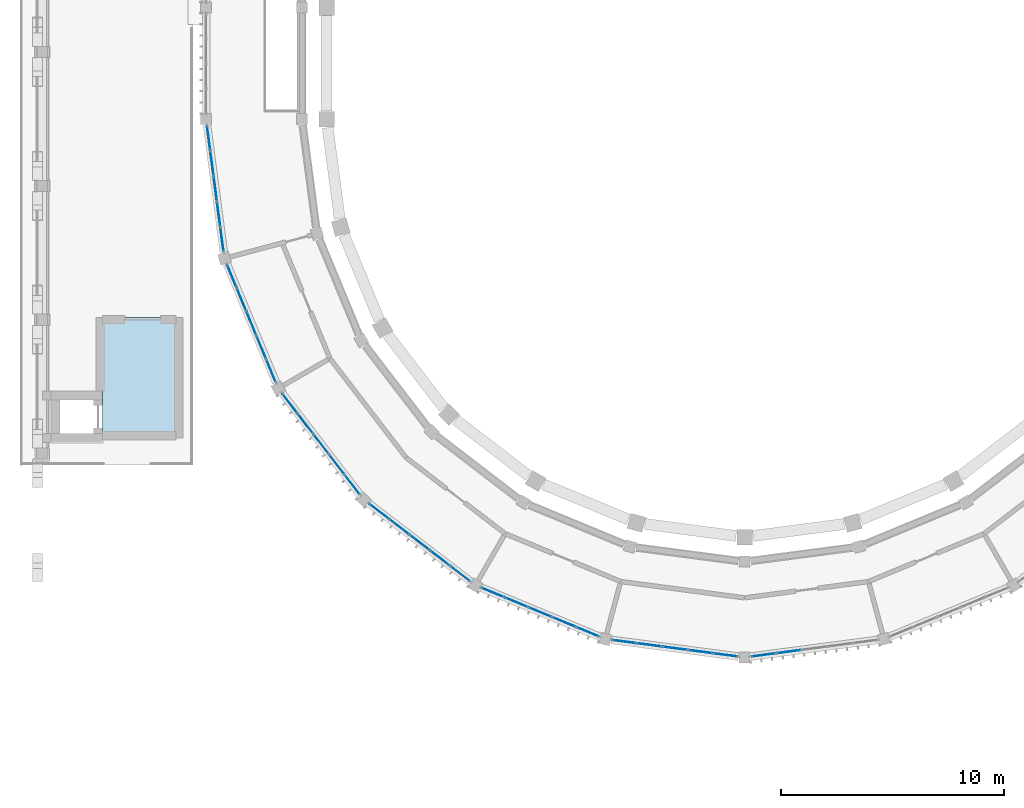
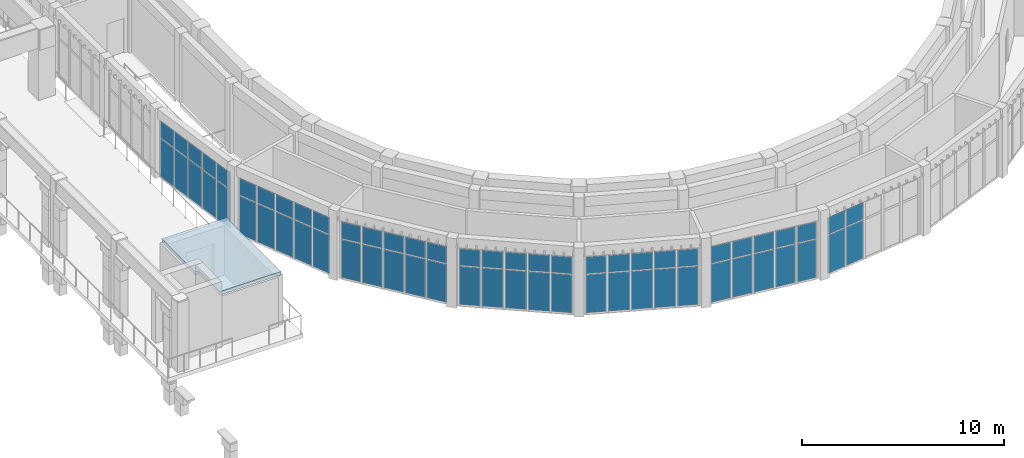
# One storey, part 39 of 99: 64 plates, 1 slab, 7 elements without a shape of their own.
"""IFC4 building model written with IfcOpenShell, lengths in metres."""

from ifc_helpers import new_model, si_unit, direction, frame, origin, origin_2d, place, context, subcontext, project, spatial, polyline, rectangle, outline, extrude, material, layer, layer_set, type_object, element, aggregate, save


model = new_model("IFC4")

# Units and contexts
model_context = context("Model", 3, precision=1e-05, world=origin(), true_north=direction((0.0, 1.0)))
body_context = subcontext(model_context, "Body", "Model", "MODEL_VIEW")
ifc_project = project(units=[si_unit("LENGTHUNIT", "METRE"), si_unit("AREAUNIT", "SQUARE_METRE"), si_unit("VOLUMEUNIT", "CUBIC_METRE"), si_unit("PLANEANGLEUNIT", "RADIAN"), si_unit("MASSUNIT", "GRAM", prefix="KILO")], contexts=[model_context])

# Site, building, storey
site_placement = place(None, origin())
site = spatial("IfcSite", under=ifc_project, at=site_placement, CompositionType="ELEMENT")
building_placement = place(site_placement, origin())
building = spatial("IfcBuilding", under=site, at=building_placement, Name="Wasatch Bagh Community Centre", CompositionType="ELEMENT")
storey_placement = place(building_placement, frame((0.0, 0.0, 4.199951171875)))
storey = spatial("IfcBuildingStorey", under=building, at=storey_placement, Name="L01", CompositionType="ELEMENT", Elevation=4.199951171875)

# Slab
ifc_material_1 = material(Name="Concrete C35", Category="concrete")
ifc_layer_1 = layer(ifc_material_1, 0.2099609375)
ifc_layer_set_1 = layer_set([ifc_layer_1], Name="Concrete C35")
slab_type = type_object("IfcSlabType", Name="CT-S3", PredefinedType="ROOF", material=ifc_layer_set_1)
slab_placement = place(storey_placement, frame((0.0, 0.0, 3.0)))
element("IfcSlab", 1, at=slab_placement, inside=storey, type_object=slab_type, Name="Terrace lobby S roof", PredefinedType="ROOF", context=body_context, shape_type="SweptSolid", body=[
    extrude(outline(polyline([(7.0, 26.10009765625), (10.699951171875, 26.10009765625), (10.699951171875, 20.699951171875), (7.199951171875, 20.699951171875), (7.199951171875, 22.81005859375), (7.0, 22.81005859375), (7.0, 26.10009765625)])), origin(), (0.0, 0.0, 1.0), 0.2099609375),
])

# Curtain wall, plates
ifc_material_2 = material(Name="Aluminium curtain wall frame with low-iron insulated glass", Category="aluminium")
ifc_layer_2 = layer(ifc_material_2, 0.14990234375)
ifc_layer_set_2 = layer_set([ifc_layer_2], Name="Aluminium curtain wall frame with low-iron insulated glass")
curtain_wall_type = type_object("IfcCurtainWallType", Name="Drum curtain wall DR-CW2", PredefinedType="NOTDEFINED", material=ifc_layer_set_2)
curtain_wall_1_placement = place(storey_placement, origin())
curtain_wall_1 = element("IfcCurtainWall", 2, at=curtain_wall_1_placement, inside=storey, type_object=curtain_wall_type, Name="Curtain wall DR-CW2 1", PredefinedType="NOTDEFINED")
ifc_material_3 = material(Name="Low-iron insulated glass", Category="glass")
ifc_layer_3 = layer(ifc_material_3, 0.028076171875)
ifc_layer_set_3 = layer_set([ifc_layer_3], Name="Low-iron insulated glass")
plate_type = type_object("IfcPlateType", Name="Drum glass panel DR-CW2", PredefinedType="CURTAIN_PANEL", material=ifc_layer_set_3)
plate_1_placement = place(storey_placement, frame((11.961669921875, 34.15185546875, 0.06005859375), z_axis=(0.0, 0.0, 1.0), x_axis=(0.130526192185, -0.991444861378, 0.0)))
plate_1 = element("IfcPlate", 3, at=plate_1_placement, type_object=plate_type, Name="DR-CW2 panel 1.1", PredefinedType="CURTAIN_PANEL", context=body_context, shape_type="SweptSolid", body=[
    extrude(rectangle(XDim=1.06591796875, YDim=0.028076171875, at=origin_2d()), origin(), (0.0, 0.0, 1.0), 2.31005859375),
])
plate_2_placement = place(storey_placement, frame((11.961669921875, 34.15185546875, 2.43017578125), z_axis=(0.0, 0.0, 1.0), x_axis=(0.130526192185, -0.991444861378, 0.0)))
plate_2 = element("IfcPlate", 4, at=plate_2_placement, type_object=plate_type, Name="DR-CW2 panel 1.2", PredefinedType="CURTAIN_PANEL", context=body_context, shape_type="SweptSolid", body=[
    extrude(rectangle(XDim=1.06591796875, YDim=0.028076171875, at=origin_2d()), origin(), (0.0, 0.0, 1.0), 1.010009765625),
])
plate_3_placement = place(storey_placement, frame((12.110595703125, 33.020751953125, 0.06005859375), z_axis=(0.0, 0.0, 1.0), x_axis=(0.130526192185, -0.991444861378, 0.0)))
plate_3 = element("IfcPlate", 5, at=plate_3_placement, type_object=plate_type, Name="DR-CW2 panel 2.1", PredefinedType="CURTAIN_PANEL", context=body_context, shape_type="SweptSolid", body=[
    extrude(rectangle(XDim=1.095947265625, YDim=0.028076171875, at=origin_2d()), origin(), (0.0, 0.0, 1.0), 2.31005859375),
])
plate_4_placement = place(storey_placement, frame((12.110595703125, 33.020751953125, 2.43017578125), z_axis=(0.0, 0.0, 1.0), x_axis=(0.130526192185, -0.991444861378, 0.0)))
plate_4 = element("IfcPlate", 6, at=plate_4_placement, type_object=plate_type, Name="DR-CW2 panel 2.2", PredefinedType="CURTAIN_PANEL", context=body_context, shape_type="SweptSolid", body=[
    extrude(rectangle(XDim=1.095947265625, YDim=0.028076171875, at=origin_2d()), origin(), (0.0, 0.0, 1.0), 1.010009765625),
])
plate_5_placement = place(storey_placement, frame((12.261474609375, 31.874755859375, 0.06005859375), z_axis=(0.0, 0.0, 1.0), x_axis=(0.130526192185, -0.991444861378, 0.0)))
plate_5 = element("IfcPlate", 7, at=plate_5_placement, type_object=plate_type, Name="DR-CW2 panel 3.1", PredefinedType="CURTAIN_PANEL", context=body_context, shape_type="SweptSolid", body=[
    extrude(rectangle(XDim=1.095947265625, YDim=0.028076171875, at=origin_2d()), origin(), (0.0, 0.0, 1.0), 2.31005859375),
])
plate_6_placement = place(storey_placement, frame((12.261474609375, 31.874755859375, 2.43017578125), z_axis=(0.0, 0.0, 1.0), x_axis=(0.130526192185, -0.991444861378, 0.0)))
plate_6 = element("IfcPlate", 8, at=plate_6_placement, type_object=plate_type, Name="DR-CW2 panel 3.2", PredefinedType="CURTAIN_PANEL", context=body_context, shape_type="SweptSolid", body=[
    extrude(rectangle(XDim=1.095947265625, YDim=0.028076171875, at=origin_2d()), origin(), (0.0, 0.0, 1.0), 1.010009765625),
])
plate_7_placement = place(storey_placement, frame((12.412353515625, 30.728759765625, 0.06005859375), z_axis=(0.0, 0.0, 1.0), x_axis=(0.130526192185, -0.991444861378, 0.0)))
plate_7 = element("IfcPlate", 9, at=plate_7_placement, type_object=plate_type, Name="DR-CW2 panel 4.1", PredefinedType="CURTAIN_PANEL", context=body_context, shape_type="SweptSolid", body=[
    extrude(rectangle(XDim=1.095947265625, YDim=0.028076171875, at=origin_2d()), origin(), (0.0, 0.0, 1.0), 2.31005859375),
])
plate_8_placement = place(storey_placement, frame((12.412353515625, 30.728759765625, 2.43017578125), z_axis=(0.0, 0.0, 1.0), x_axis=(0.130526192185, -0.991444861378, 0.0)))
plate_8 = element("IfcPlate", 10, at=plate_8_placement, type_object=plate_type, Name="DR-CW2 panel 4.2", PredefinedType="CURTAIN_PANEL", context=body_context, shape_type="SweptSolid", body=[
    extrude(rectangle(XDim=1.095947265625, YDim=0.028076171875, at=origin_2d()), origin(), (0.0, 0.0, 1.0), 1.010009765625),
])
plate_9_placement = place(storey_placement, frame((12.561279296875, 29.59765625, 0.06005859375), z_axis=(0.0, 0.0, 1.0), x_axis=(0.130526192185, -0.991444861378, 0.0)))
plate_9 = element("IfcPlate", 11, at=plate_9_placement, type_object=plate_type, Name="DR-CW2 panel 5.1", PredefinedType="CURTAIN_PANEL", context=body_context, shape_type="SweptSolid", body=[
    extrude(rectangle(XDim=1.06591796875, YDim=0.028076171875, at=origin_2d()), origin(), (0.0, 0.0, 1.0), 2.31005859375),
])
plate_10_placement = place(storey_placement, frame((12.561279296875, 29.59765625, 2.43017578125), z_axis=(0.0, 0.0, 1.0), x_axis=(0.130526192185, -0.991444861378, 0.0)))
plate_10 = element("IfcPlate", 12, at=plate_10_placement, type_object=plate_type, Name="DR-CW2 panel 5.2", PredefinedType="CURTAIN_PANEL", context=body_context, shape_type="SweptSolid", body=[
    extrude(rectangle(XDim=1.06591796875, YDim=0.028076171875, at=origin_2d()), origin(), (0.0, 0.0, 1.0), 1.010009765625),
])
aggregate(curtain_wall_1, [plate_1, plate_2, plate_3, plate_4, plate_5, plate_6, plate_7, plate_8, plate_9, plate_10])

curtain_wall_2_placement = place(storey_placement, origin())
curtain_wall_2 = element("IfcCurtainWall", 13, at=curtain_wall_2_placement, inside=storey, type_object=curtain_wall_type, Name="Curtain wall DR-CW2 2", PredefinedType="NOTDEFINED")
plate_11_placement = place(storey_placement, frame((13.000244140625, 27.959228515625, 0.06005859375), z_axis=(0.0, 0.0, 1.0), x_axis=(0.38268343251, -0.923879532451, 0.0)))
plate_11 = element("IfcPlate", 14, at=plate_11_placement, type_object=plate_type, Name="DR-CW2 panel 1.1", PredefinedType="CURTAIN_PANEL", context=body_context, shape_type="SweptSolid", body=[
    extrude(rectangle(XDim=1.06591796875, YDim=0.028076171875, at=origin_2d()), origin(), (0.0, 0.0, 1.0), 2.31005859375),
])
plate_12_placement = place(storey_placement, frame((13.000244140625, 27.959228515625, 2.43017578125), z_axis=(0.0, 0.0, 1.0), x_axis=(0.38268343251, -0.923879532451, 0.0)))
plate_12 = element("IfcPlate", 15, at=plate_12_placement, type_object=plate_type, Name="DR-CW2 panel 1.2", PredefinedType="CURTAIN_PANEL", context=body_context, shape_type="SweptSolid", body=[
    extrude(rectangle(XDim=1.06591796875, YDim=0.028076171875, at=origin_2d()), origin(), (0.0, 0.0, 1.0), 1.010009765625),
])
plate_13_placement = place(storey_placement, frame((13.436767578125, 26.905029296875, 0.06005859375), z_axis=(0.0, 0.0, 1.0), x_axis=(0.38268343251, -0.923879532451, 0.0)))
plate_13 = element("IfcPlate", 16, at=plate_13_placement, type_object=plate_type, Name="DR-CW2 panel 2.1", PredefinedType="CURTAIN_PANEL", context=body_context, shape_type="SweptSolid", body=[
    extrude(rectangle(XDim=1.095947265625, YDim=0.028076171875, at=origin_2d()), origin(), (0.0, 0.0, 1.0), 2.31005859375),
])
plate_14_placement = place(storey_placement, frame((13.436767578125, 26.905029296875, 2.43017578125), z_axis=(0.0, 0.0, 1.0), x_axis=(0.38268343251, -0.923879532451, 0.0)))
plate_14 = element("IfcPlate", 17, at=plate_14_placement, type_object=plate_type, Name="DR-CW2 panel 2.2", PredefinedType="CURTAIN_PANEL", context=body_context, shape_type="SweptSolid", body=[
    extrude(rectangle(XDim=1.095947265625, YDim=0.028076171875, at=origin_2d()), origin(), (0.0, 0.0, 1.0), 1.010009765625),
])
plate_15_placement = place(storey_placement, frame((13.879150390625, 25.837158203125, 0.06005859375), z_axis=(0.0, 0.0, 1.0), x_axis=(0.38268343251, -0.923879532451, 0.0)))
plate_15 = element("IfcPlate", 18, at=plate_15_placement, type_object=plate_type, Name="DR-CW2 panel 3.1", PredefinedType="CURTAIN_PANEL", context=body_context, shape_type="SweptSolid", body=[
    extrude(rectangle(XDim=1.095947265625, YDim=0.028076171875, at=origin_2d()), origin(), (0.0, 0.0, 1.0), 2.31005859375),
])
plate_16_placement = place(storey_placement, frame((13.879150390625, 25.837158203125, 2.43017578125), z_axis=(0.0, 0.0, 1.0), x_axis=(0.38268343251, -0.923879532451, 0.0)))
plate_16 = element("IfcPlate", 19, at=plate_16_placement, type_object=plate_type, Name="DR-CW2 panel 3.2", PredefinedType="CURTAIN_PANEL", context=body_context, shape_type="SweptSolid", body=[
    extrude(rectangle(XDim=1.095947265625, YDim=0.028076171875, at=origin_2d()), origin(), (0.0, 0.0, 1.0), 1.010009765625),
])
plate_17_placement = place(storey_placement, frame((14.321533203125, 24.769287109375, 0.06005859375), z_axis=(0.0, 0.0, 1.0), x_axis=(0.38268343251, -0.923879532451, 0.0)))
plate_17 = element("IfcPlate", 20, at=plate_17_placement, type_object=plate_type, Name="DR-CW2 panel 4.1", PredefinedType="CURTAIN_PANEL", context=body_context, shape_type="SweptSolid", body=[
    extrude(rectangle(XDim=1.095947265625, YDim=0.028076171875, at=origin_2d()), origin(), (0.0, 0.0, 1.0), 2.31005859375),
])
plate_18_placement = place(storey_placement, frame((14.321533203125, 24.769287109375, 2.43017578125), z_axis=(0.0, 0.0, 1.0), x_axis=(0.38268343251, -0.923879532451, 0.0)))
plate_18 = element("IfcPlate", 21, at=plate_18_placement, type_object=plate_type, Name="DR-CW2 panel 4.2", PredefinedType="CURTAIN_PANEL", context=body_context, shape_type="SweptSolid", body=[
    extrude(rectangle(XDim=1.095947265625, YDim=0.028076171875, at=origin_2d()), origin(), (0.0, 0.0, 1.0), 1.010009765625),
])
plate_19_placement = place(storey_placement, frame((14.758056640625, 23.71533203125, 0.06005859375), z_axis=(0.0, 0.0, 1.0), x_axis=(0.38268343251, -0.923879532451, 0.0)))
plate_19 = element("IfcPlate", 22, at=plate_19_placement, type_object=plate_type, Name="DR-CW2 panel 5.1", PredefinedType="CURTAIN_PANEL", context=body_context, shape_type="SweptSolid", body=[
    extrude(rectangle(XDim=1.06591796875, YDim=0.028076171875, at=origin_2d()), origin(), (0.0, 0.0, 1.0), 2.31005859375),
])
plate_20_placement = place(storey_placement, frame((14.758056640625, 23.71533203125, 2.43017578125), z_axis=(0.0, 0.0, 1.0), x_axis=(0.38268343251, -0.923879532451, 0.0)))
plate_20 = element("IfcPlate", 23, at=plate_20_placement, type_object=plate_type, Name="DR-CW2 panel 5.2", PredefinedType="CURTAIN_PANEL", context=body_context, shape_type="SweptSolid", body=[
    extrude(rectangle(XDim=1.06591796875, YDim=0.028076171875, at=origin_2d()), origin(), (0.0, 0.0, 1.0), 1.010009765625),
])
aggregate(curtain_wall_2, [plate_11, plate_12, plate_13, plate_14, plate_15, plate_16, plate_17, plate_18, plate_19, plate_20])

curtain_wall_3_placement = place(storey_placement, origin())
curtain_wall_3 = element("IfcCurtainWall", 24, at=curtain_wall_3_placement, inside=storey, type_object=curtain_wall_type, Name="Curtain wall DR-CW2 3", PredefinedType="NOTDEFINED")
plate_21_placement = place(storey_placement, frame((15.606201171875, 22.246337890625, 0.06005859375), z_axis=(0.0, 0.0, 1.0), x_axis=(0.608761429133, -0.793353340196, 0.0)))
plate_21 = element("IfcPlate", 25, at=plate_21_placement, type_object=plate_type, Name="DR-CW2 panel 1.1", PredefinedType="CURTAIN_PANEL", context=body_context, shape_type="SweptSolid", body=[
    extrude(rectangle(XDim=1.06591796875, YDim=0.028076171875, at=origin_2d()), origin(), (0.0, 0.0, 1.0), 2.31005859375),
])
plate_22_placement = place(storey_placement, frame((15.606201171875, 22.246337890625, 2.43017578125), z_axis=(0.0, 0.0, 1.0), x_axis=(0.608761429133, -0.793353340196, 0.0)))
plate_22 = element("IfcPlate", 26, at=plate_22_placement, type_object=plate_type, Name="DR-CW2 panel 1.2", PredefinedType="CURTAIN_PANEL", context=body_context, shape_type="SweptSolid", body=[
    extrude(rectangle(XDim=1.06591796875, YDim=0.028076171875, at=origin_2d()), origin(), (0.0, 0.0, 1.0), 1.010009765625),
])
plate_23_placement = place(storey_placement, frame((16.30078125, 21.34130859375, 0.06005859375), z_axis=(0.0, 0.0, 1.0), x_axis=(0.608761429133, -0.793353340196, 0.0)))
plate_23 = element("IfcPlate", 27, at=plate_23_placement, type_object=plate_type, Name="DR-CW2 panel 2.1", PredefinedType="CURTAIN_PANEL", context=body_context, shape_type="SweptSolid", body=[
    extrude(rectangle(XDim=1.095947265625, YDim=0.028076171875, at=origin_2d()), origin(), (0.0, 0.0, 1.0), 2.31005859375),
])
plate_24_placement = place(storey_placement, frame((16.30078125, 21.34130859375, 2.43017578125), z_axis=(0.0, 0.0, 1.0), x_axis=(0.608761429133, -0.793353340196, 0.0)))
plate_24 = element("IfcPlate", 28, at=plate_24_placement, type_object=plate_type, Name="DR-CW2 panel 2.2", PredefinedType="CURTAIN_PANEL", context=body_context, shape_type="SweptSolid", body=[
    extrude(rectangle(XDim=1.095947265625, YDim=0.028076171875, at=origin_2d()), origin(), (0.0, 0.0, 1.0), 1.010009765625),
])
plate_25_placement = place(storey_placement, frame((17.00439453125, 20.424072265625, 0.06005859375), z_axis=(0.0, 0.0, 1.0), x_axis=(0.608761429133, -0.793353340196, 0.0)))
plate_25 = element("IfcPlate", 29, at=plate_25_placement, type_object=plate_type, Name="DR-CW2 panel 3.1", PredefinedType="CURTAIN_PANEL", context=body_context, shape_type="SweptSolid", body=[
    extrude(rectangle(XDim=1.095947265625, YDim=0.028076171875, at=origin_2d()), origin(), (0.0, 0.0, 1.0), 2.31005859375),
])
plate_26_placement = place(storey_placement, frame((17.00439453125, 20.424072265625, 2.43017578125), z_axis=(0.0, 0.0, 1.0), x_axis=(0.608761429133, -0.793353340196, 0.0)))
plate_26 = element("IfcPlate", 30, at=plate_26_placement, type_object=plate_type, Name="DR-CW2 panel 3.2", PredefinedType="CURTAIN_PANEL", context=body_context, shape_type="SweptSolid", body=[
    extrude(rectangle(XDim=1.095947265625, YDim=0.028076171875, at=origin_2d()), origin(), (0.0, 0.0, 1.0), 1.010009765625),
])
plate_27_placement = place(storey_placement, frame((17.7080078125, 19.507080078125, 0.06005859375), z_axis=(0.0, 0.0, 1.0), x_axis=(0.608761429133, -0.793353340196, 0.0)))
plate_27 = element("IfcPlate", 31, at=plate_27_placement, type_object=plate_type, Name="DR-CW2 panel 4.1", PredefinedType="CURTAIN_PANEL", context=body_context, shape_type="SweptSolid", body=[
    extrude(rectangle(XDim=1.095947265625, YDim=0.028076171875, at=origin_2d()), origin(), (0.0, 0.0, 1.0), 2.31005859375),
])
plate_28_placement = place(storey_placement, frame((17.7080078125, 19.507080078125, 2.43017578125), z_axis=(0.0, 0.0, 1.0), x_axis=(0.608761429133, -0.793353340196, 0.0)))
plate_28 = element("IfcPlate", 32, at=plate_28_placement, type_object=plate_type, Name="DR-CW2 panel 4.2", PredefinedType="CURTAIN_PANEL", context=body_context, shape_type="SweptSolid", body=[
    extrude(rectangle(XDim=1.095947265625, YDim=0.028076171875, at=origin_2d()), origin(), (0.0, 0.0, 1.0), 1.010009765625),
])
plate_29_placement = place(storey_placement, frame((18.402587890625, 18.60205078125, 0.06005859375), z_axis=(0.0, 0.0, 1.0), x_axis=(0.608761429133, -0.793353340196, 0.0)))
plate_29 = element("IfcPlate", 33, at=plate_29_placement, type_object=plate_type, Name="DR-CW2 panel 5.1", PredefinedType="CURTAIN_PANEL", context=body_context, shape_type="SweptSolid", body=[
    extrude(rectangle(XDim=1.06591796875, YDim=0.028076171875, at=origin_2d()), origin(), (0.0, 0.0, 1.0), 2.31005859375),
])
plate_30_placement = place(storey_placement, frame((18.402587890625, 18.60205078125, 2.43017578125), z_axis=(0.0, 0.0, 1.0), x_axis=(0.608761429133, -0.793353340196, 0.0)))
plate_30 = element("IfcPlate", 34, at=plate_30_placement, type_object=plate_type, Name="DR-CW2 panel 5.2", PredefinedType="CURTAIN_PANEL", context=body_context, shape_type="SweptSolid", body=[
    extrude(rectangle(XDim=1.06591796875, YDim=0.028076171875, at=origin_2d()), origin(), (0.0, 0.0, 1.0), 1.010009765625),
])
aggregate(curtain_wall_3, [plate_21, plate_22, plate_23, plate_24, plate_25, plate_26, plate_27, plate_28, plate_29, plate_30])

curtain_wall_4_placement = place(storey_placement, origin())
curtain_wall_4 = element("IfcCurtainWall", 35, at=curtain_wall_4_placement, inside=storey, type_object=curtain_wall_type, Name="Curtain wall DR-CW2 4", PredefinedType="NOTDEFINED")
plate_31_placement = place(storey_placement, frame((19.60205078125, 17.402587890625, 0.06005859375), z_axis=(0.0, 0.0, 1.0), x_axis=(0.793353340196, -0.608761429133, 0.0)))
plate_31 = element("IfcPlate", 36, at=plate_31_placement, type_object=plate_type, Name="DR-CW2 panel 1.1", PredefinedType="CURTAIN_PANEL", context=body_context, shape_type="SweptSolid", body=[
    extrude(rectangle(XDim=1.06591796875, YDim=0.028076171875, at=origin_2d()), origin(), (0.0, 0.0, 1.0), 2.31005859375),
])
plate_32_placement = place(storey_placement, frame((19.60205078125, 17.402587890625, 2.43017578125), z_axis=(0.0, 0.0, 1.0), x_axis=(0.793353340196, -0.608761429133, 0.0)))
plate_32 = element("IfcPlate", 37, at=plate_32_placement, type_object=plate_type, Name="DR-CW2 panel 1.2", PredefinedType="CURTAIN_PANEL", context=body_context, shape_type="SweptSolid", body=[
    extrude(rectangle(XDim=1.06591796875, YDim=0.028076171875, at=origin_2d()), origin(), (0.0, 0.0, 1.0), 1.010009765625),
])
plate_33_placement = place(storey_placement, frame((20.507080078125, 16.7080078125, 0.06005859375), z_axis=(0.0, 0.0, 1.0), x_axis=(0.793353340196, -0.608761429133, 0.0)))
plate_33 = element("IfcPlate", 38, at=plate_33_placement, type_object=plate_type, Name="DR-CW2 panel 2.1", PredefinedType="CURTAIN_PANEL", context=body_context, shape_type="SweptSolid", body=[
    extrude(rectangle(XDim=1.095947265625, YDim=0.028076171875, at=origin_2d()), origin(), (0.0, 0.0, 1.0), 2.31005859375),
])
plate_34_placement = place(storey_placement, frame((20.507080078125, 16.7080078125, 2.43017578125), z_axis=(0.0, 0.0, 1.0), x_axis=(0.793353340196, -0.608761429133, 0.0)))
plate_34 = element("IfcPlate", 39, at=plate_34_placement, type_object=plate_type, Name="DR-CW2 panel 2.2", PredefinedType="CURTAIN_PANEL", context=body_context, shape_type="SweptSolid", body=[
    extrude(rectangle(XDim=1.095947265625, YDim=0.028076171875, at=origin_2d()), origin(), (0.0, 0.0, 1.0), 1.010009765625),
])
plate_35_placement = place(storey_placement, frame((21.424072265625, 16.00439453125, 0.06005859375), z_axis=(0.0, 0.0, 1.0), x_axis=(0.793353340196, -0.608761429133, 0.0)))
plate_35 = element("IfcPlate", 40, at=plate_35_placement, type_object=plate_type, Name="DR-CW2 panel 3.1", PredefinedType="CURTAIN_PANEL", context=body_context, shape_type="SweptSolid", body=[
    extrude(rectangle(XDim=1.095947265625, YDim=0.028076171875, at=origin_2d()), origin(), (0.0, 0.0, 1.0), 2.31005859375),
])
plate_36_placement = place(storey_placement, frame((21.424072265625, 16.00439453125, 2.43017578125), z_axis=(0.0, 0.0, 1.0), x_axis=(0.793353340196, -0.608761429133, 0.0)))
plate_36 = element("IfcPlate", 41, at=plate_36_placement, type_object=plate_type, Name="DR-CW2 panel 3.2", PredefinedType="CURTAIN_PANEL", context=body_context, shape_type="SweptSolid", body=[
    extrude(rectangle(XDim=1.095947265625, YDim=0.028076171875, at=origin_2d()), origin(), (0.0, 0.0, 1.0), 1.010009765625),
])
plate_37_placement = place(storey_placement, frame((22.34130859375, 15.30078125, 0.06005859375), z_axis=(0.0, 0.0, 1.0), x_axis=(0.793353340196, -0.608761429133, 0.0)))
plate_37 = element("IfcPlate", 42, at=plate_37_placement, type_object=plate_type, Name="DR-CW2 panel 4.1", PredefinedType="CURTAIN_PANEL", context=body_context, shape_type="SweptSolid", body=[
    extrude(rectangle(XDim=1.095947265625, YDim=0.028076171875, at=origin_2d()), origin(), (0.0, 0.0, 1.0), 2.31005859375),
])
plate_38_placement = place(storey_placement, frame((22.34130859375, 15.30078125, 2.43017578125), z_axis=(0.0, 0.0, 1.0), x_axis=(0.793353340196, -0.608761429133, 0.0)))
plate_38 = element("IfcPlate", 43, at=plate_38_placement, type_object=plate_type, Name="DR-CW2 panel 4.2", PredefinedType="CURTAIN_PANEL", context=body_context, shape_type="SweptSolid", body=[
    extrude(rectangle(XDim=1.095947265625, YDim=0.028076171875, at=origin_2d()), origin(), (0.0, 0.0, 1.0), 1.010009765625),
])
plate_39_placement = place(storey_placement, frame((23.246337890625, 14.606201171875, 0.06005859375), z_axis=(0.0, 0.0, 1.0), x_axis=(0.793353340196, -0.608761429133, 0.0)))
plate_39 = element("IfcPlate", 44, at=plate_39_placement, type_object=plate_type, Name="DR-CW2 panel 5.1", PredefinedType="CURTAIN_PANEL", context=body_context, shape_type="SweptSolid", body=[
    extrude(rectangle(XDim=1.06591796875, YDim=0.028076171875, at=origin_2d()), origin(), (0.0, 0.0, 1.0), 2.31005859375),
])
plate_40_placement = place(storey_placement, frame((23.246337890625, 14.606201171875, 2.43017578125), z_axis=(0.0, 0.0, 1.0), x_axis=(0.793353340196, -0.608761429133, 0.0)))
plate_40 = element("IfcPlate", 45, at=plate_40_placement, type_object=plate_type, Name="DR-CW2 panel 5.2", PredefinedType="CURTAIN_PANEL", context=body_context, shape_type="SweptSolid", body=[
    extrude(rectangle(XDim=1.06591796875, YDim=0.028076171875, at=origin_2d()), origin(), (0.0, 0.0, 1.0), 1.010009765625),
])
aggregate(curtain_wall_4, [plate_31, plate_32, plate_33, plate_34, plate_35, plate_36, plate_37, plate_38, plate_39, plate_40])

curtain_wall_5_placement = place(storey_placement, origin())
curtain_wall_5 = element("IfcCurtainWall", 46, at=curtain_wall_5_placement, inside=storey, type_object=curtain_wall_type, Name="Curtain wall DR-CW2 5", PredefinedType="NOTDEFINED")
plate_41_placement = place(storey_placement, frame((24.71533203125, 13.758056640625, 0.06005859375), z_axis=(0.0, 0.0, 1.0), x_axis=(0.923879532451, -0.38268343251, 0.0)))
plate_41 = element("IfcPlate", 47, at=plate_41_placement, type_object=plate_type, Name="DR-CW2 panel 1.1", PredefinedType="CURTAIN_PANEL", context=body_context, shape_type="SweptSolid", body=[
    extrude(rectangle(XDim=1.06591796875, YDim=0.028076171875, at=origin_2d()), origin(), (0.0, 0.0, 1.0), 2.31005859375),
])
plate_42_placement = place(storey_placement, frame((24.71533203125, 13.758056640625, 2.43017578125), z_axis=(0.0, 0.0, 1.0), x_axis=(0.923879532451, -0.38268343251, 0.0)))
plate_42 = element("IfcPlate", 48, at=plate_42_placement, type_object=plate_type, Name="DR-CW2 panel 1.2", PredefinedType="CURTAIN_PANEL", context=body_context, shape_type="SweptSolid", body=[
    extrude(rectangle(XDim=1.06591796875, YDim=0.028076171875, at=origin_2d()), origin(), (0.0, 0.0, 1.0), 1.010009765625),
])
plate_43_placement = place(storey_placement, frame((25.769287109375, 13.321533203125, 0.06005859375), z_axis=(0.0, 0.0, 1.0), x_axis=(0.923879532451, -0.38268343251, 0.0)))
plate_43 = element("IfcPlate", 49, at=plate_43_placement, type_object=plate_type, Name="DR-CW2 panel 2.1", PredefinedType="CURTAIN_PANEL", context=body_context, shape_type="SweptSolid", body=[
    extrude(rectangle(XDim=1.095947265625, YDim=0.028076171875, at=origin_2d()), origin(), (0.0, 0.0, 1.0), 2.31005859375),
])
plate_44_placement = place(storey_placement, frame((25.769287109375, 13.321533203125, 2.43017578125), z_axis=(0.0, 0.0, 1.0), x_axis=(0.923879532451, -0.38268343251, 0.0)))
plate_44 = element("IfcPlate", 50, at=plate_44_placement, type_object=plate_type, Name="DR-CW2 panel 2.2", PredefinedType="CURTAIN_PANEL", context=body_context, shape_type="SweptSolid", body=[
    extrude(rectangle(XDim=1.095947265625, YDim=0.028076171875, at=origin_2d()), origin(), (0.0, 0.0, 1.0), 1.010009765625),
])
plate_45_placement = place(storey_placement, frame((26.837158203125, 12.879150390625, 0.06005859375), z_axis=(0.0, 0.0, 1.0), x_axis=(0.923879532451, -0.38268343251, 0.0)))
plate_45 = element("IfcPlate", 51, at=plate_45_placement, type_object=plate_type, Name="DR-CW2 panel 3.1", PredefinedType="CURTAIN_PANEL", context=body_context, shape_type="SweptSolid", body=[
    extrude(rectangle(XDim=1.095947265625, YDim=0.028076171875, at=origin_2d()), origin(), (0.0, 0.0, 1.0), 2.31005859375),
])
plate_46_placement = place(storey_placement, frame((26.837158203125, 12.879150390625, 2.43017578125), z_axis=(0.0, 0.0, 1.0), x_axis=(0.923879532451, -0.38268343251, 0.0)))
plate_46 = element("IfcPlate", 52, at=plate_46_placement, type_object=plate_type, Name="DR-CW2 panel 3.2", PredefinedType="CURTAIN_PANEL", context=body_context, shape_type="SweptSolid", body=[
    extrude(rectangle(XDim=1.095947265625, YDim=0.028076171875, at=origin_2d()), origin(), (0.0, 0.0, 1.0), 1.010009765625),
])
plate_47_placement = place(storey_placement, frame((27.905029296875, 12.436767578125, 0.06005859375), z_axis=(0.0, 0.0, 1.0), x_axis=(0.923879532451, -0.38268343251, 0.0)))
plate_47 = element("IfcPlate", 53, at=plate_47_placement, type_object=plate_type, Name="DR-CW2 panel 4.1", PredefinedType="CURTAIN_PANEL", context=body_context, shape_type="SweptSolid", body=[
    extrude(rectangle(XDim=1.095947265625, YDim=0.028076171875, at=origin_2d()), origin(), (0.0, 0.0, 1.0), 2.31005859375),
])
plate_48_placement = place(storey_placement, frame((27.905029296875, 12.436767578125, 2.43017578125), z_axis=(0.0, 0.0, 1.0), x_axis=(0.923879532451, -0.38268343251, 0.0)))
plate_48 = element("IfcPlate", 54, at=plate_48_placement, type_object=plate_type, Name="DR-CW2 panel 4.2", PredefinedType="CURTAIN_PANEL", context=body_context, shape_type="SweptSolid", body=[
    extrude(rectangle(XDim=1.095947265625, YDim=0.028076171875, at=origin_2d()), origin(), (0.0, 0.0, 1.0), 1.010009765625),
])
plate_49_placement = place(storey_placement, frame((28.959228515625, 12.000244140625, 0.06005859375), z_axis=(0.0, 0.0, 1.0), x_axis=(0.923879532451, -0.38268343251, 0.0)))
plate_49 = element("IfcPlate", 55, at=plate_49_placement, type_object=plate_type, Name="DR-CW2 panel 5.1", PredefinedType="CURTAIN_PANEL", context=body_context, shape_type="SweptSolid", body=[
    extrude(rectangle(XDim=1.06591796875, YDim=0.028076171875, at=origin_2d()), origin(), (0.0, 0.0, 1.0), 2.31005859375),
])
plate_50_placement = place(storey_placement, frame((28.959228515625, 12.000244140625, 2.43017578125), z_axis=(0.0, 0.0, 1.0), x_axis=(0.923879532451, -0.38268343251, 0.0)))
plate_50 = element("IfcPlate", 56, at=plate_50_placement, type_object=plate_type, Name="DR-CW2 panel 5.2", PredefinedType="CURTAIN_PANEL", context=body_context, shape_type="SweptSolid", body=[
    extrude(rectangle(XDim=1.06591796875, YDim=0.028076171875, at=origin_2d()), origin(), (0.0, 0.0, 1.0), 1.010009765625),
])
aggregate(curtain_wall_5, [plate_41, plate_42, plate_43, plate_44, plate_45, plate_46, plate_47, plate_48, plate_49, plate_50])

curtain_wall_6_placement = place(storey_placement, origin())
curtain_wall_6 = element("IfcCurtainWall", 57, at=curtain_wall_6_placement, inside=storey, type_object=curtain_wall_type, Name="Curtain wall DR-CW2 6", PredefinedType="NOTDEFINED")
plate_51_placement = place(storey_placement, frame((30.59765625, 11.561279296875, 0.06005859375), z_axis=(0.0, 0.0, 1.0), x_axis=(0.991444861378, -0.130526192185, 0.0)))
plate_51 = element("IfcPlate", 58, at=plate_51_placement, type_object=plate_type, Name="DR-CW2 panel 1.1", PredefinedType="CURTAIN_PANEL", context=body_context, shape_type="SweptSolid", body=[
    extrude(rectangle(XDim=1.06591796875, YDim=0.028076171875, at=origin_2d()), origin(), (0.0, 0.0, 1.0), 2.31005859375),
])
plate_52_placement = place(storey_placement, frame((30.59765625, 11.561279296875, 2.43017578125), z_axis=(0.0, 0.0, 1.0), x_axis=(0.991444861378, -0.130526192185, 0.0)))
plate_52 = element("IfcPlate", 59, at=plate_52_placement, type_object=plate_type, Name="DR-CW2 panel 1.2", PredefinedType="CURTAIN_PANEL", context=body_context, shape_type="SweptSolid", body=[
    extrude(rectangle(XDim=1.06591796875, YDim=0.028076171875, at=origin_2d()), origin(), (0.0, 0.0, 1.0), 1.010009765625),
])
plate_53_placement = place(storey_placement, frame((31.728759765625, 11.412353515625, 0.06005859375), z_axis=(0.0, 0.0, 1.0), x_axis=(0.991444861378, -0.130526192185, 0.0)))
plate_53 = element("IfcPlate", 60, at=plate_53_placement, type_object=plate_type, Name="DR-CW2 panel 2.1", PredefinedType="CURTAIN_PANEL", context=body_context, shape_type="SweptSolid", body=[
    extrude(rectangle(XDim=1.095947265625, YDim=0.028076171875, at=origin_2d()), origin(), (0.0, 0.0, 1.0), 2.31005859375),
])
plate_54_placement = place(storey_placement, frame((31.728759765625, 11.412353515625, 2.43017578125), z_axis=(0.0, 0.0, 1.0), x_axis=(0.991444861378, -0.130526192185, 0.0)))
plate_54 = element("IfcPlate", 61, at=plate_54_placement, type_object=plate_type, Name="DR-CW2 panel 2.2", PredefinedType="CURTAIN_PANEL", context=body_context, shape_type="SweptSolid", body=[
    extrude(rectangle(XDim=1.095947265625, YDim=0.028076171875, at=origin_2d()), origin(), (0.0, 0.0, 1.0), 1.010009765625),
])
plate_55_placement = place(storey_placement, frame((32.874755859375, 11.261474609375, 0.06005859375), z_axis=(0.0, 0.0, 1.0), x_axis=(0.991444861378, -0.130526192185, 0.0)))
plate_55 = element("IfcPlate", 62, at=plate_55_placement, type_object=plate_type, Name="DR-CW2 panel 3.1", PredefinedType="CURTAIN_PANEL", context=body_context, shape_type="SweptSolid", body=[
    extrude(rectangle(XDim=1.095947265625, YDim=0.028076171875, at=origin_2d()), origin(), (0.0, 0.0, 1.0), 2.31005859375),
])
plate_56_placement = place(storey_placement, frame((32.874755859375, 11.261474609375, 2.43017578125), z_axis=(0.0, 0.0, 1.0), x_axis=(0.991444861378, -0.130526192185, 0.0)))
plate_56 = element("IfcPlate", 63, at=plate_56_placement, type_object=plate_type, Name="DR-CW2 panel 3.2", PredefinedType="CURTAIN_PANEL", context=body_context, shape_type="SweptSolid", body=[
    extrude(rectangle(XDim=1.095947265625, YDim=0.028076171875, at=origin_2d()), origin(), (0.0, 0.0, 1.0), 1.010009765625),
])
plate_57_placement = place(storey_placement, frame((34.020751953125, 11.110595703125, 0.06005859375), z_axis=(0.0, 0.0, 1.0), x_axis=(0.991444861378, -0.130526192185, 0.0)))
plate_57 = element("IfcPlate", 64, at=plate_57_placement, type_object=plate_type, Name="DR-CW2 panel 4.1", PredefinedType="CURTAIN_PANEL", context=body_context, shape_type="SweptSolid", body=[
    extrude(rectangle(XDim=1.095947265625, YDim=0.028076171875, at=origin_2d()), origin(), (0.0, 0.0, 1.0), 2.31005859375),
])
plate_58_placement = place(storey_placement, frame((34.020751953125, 11.110595703125, 2.43017578125), z_axis=(0.0, 0.0, 1.0), x_axis=(0.991444861378, -0.130526192185, 0.0)))
plate_58 = element("IfcPlate", 65, at=plate_58_placement, type_object=plate_type, Name="DR-CW2 panel 4.2", PredefinedType="CURTAIN_PANEL", context=body_context, shape_type="SweptSolid", body=[
    extrude(rectangle(XDim=1.095947265625, YDim=0.028076171875, at=origin_2d()), origin(), (0.0, 0.0, 1.0), 1.010009765625),
])
plate_59_placement = place(storey_placement, frame((35.15185546875, 10.961669921875, 0.06005859375), z_axis=(0.0, 0.0, 1.0), x_axis=(0.991444861378, -0.130526192185, 0.0)))
plate_59 = element("IfcPlate", 66, at=plate_59_placement, type_object=plate_type, Name="DR-CW2 panel 5.1", PredefinedType="CURTAIN_PANEL", context=body_context, shape_type="SweptSolid", body=[
    extrude(rectangle(XDim=1.06591796875, YDim=0.028076171875, at=origin_2d()), origin(), (0.0, 0.0, 1.0), 2.31005859375),
])
plate_60_placement = place(storey_placement, frame((35.15185546875, 10.961669921875, 2.43017578125), z_axis=(0.0, 0.0, 1.0), x_axis=(0.991444861378, -0.130526192185, 0.0)))
plate_60 = element("IfcPlate", 67, at=plate_60_placement, type_object=plate_type, Name="DR-CW2 panel 5.2", PredefinedType="CURTAIN_PANEL", context=body_context, shape_type="SweptSolid", body=[
    extrude(rectangle(XDim=1.06591796875, YDim=0.028076171875, at=origin_2d()), origin(), (0.0, 0.0, 1.0), 1.010009765625),
])
aggregate(curtain_wall_6, [plate_51, plate_52, plate_53, plate_54, plate_55, plate_56, plate_57, plate_58, plate_59, plate_60])

curtain_wall_7_placement = place(storey_placement, origin())
curtain_wall_7 = element("IfcCurtainWall", 68, at=curtain_wall_7_placement, inside=storey, type_object=curtain_wall_type, Name="Curtain wall DR-CW2 7", PredefinedType="NOTDEFINED")
plate_61_placement = place(storey_placement, frame((36.84814453125, 10.961669921875, 0.06005859375), z_axis=(0.0, 0.0, 1.0), x_axis=(0.991444861378, 0.130526192185, 0.0)))
plate_61 = element("IfcPlate", 69, at=plate_61_placement, type_object=plate_type, Name="DR-CW2 panel 1.1", PredefinedType="CURTAIN_PANEL", context=body_context, shape_type="SweptSolid", body=[
    extrude(rectangle(XDim=1.06591796875, YDim=0.028076171875, at=origin_2d()), origin(), (0.0, 0.0, 1.0), 2.31005859375),
])
plate_62_placement = place(storey_placement, frame((36.84814453125, 10.961669921875, 2.43017578125), z_axis=(0.0, 0.0, 1.0), x_axis=(0.991444861378, 0.130526192185, 0.0)))
plate_62 = element("IfcPlate", 70, at=plate_62_placement, type_object=plate_type, Name="DR-CW2 panel 1.2", PredefinedType="CURTAIN_PANEL", context=body_context, shape_type="SweptSolid", body=[
    extrude(rectangle(XDim=1.06591796875, YDim=0.028076171875, at=origin_2d()), origin(), (0.0, 0.0, 1.0), 1.010009765625),
])
plate_63_placement = place(storey_placement, frame((37.979248046875, 11.110595703125, 0.06005859375), z_axis=(0.0, 0.0, 1.0), x_axis=(0.991444861378, 0.130526192185, 0.0)))
plate_63 = element("IfcPlate", 71, at=plate_63_placement, type_object=plate_type, Name="DR-CW2 panel 2.1", PredefinedType="CURTAIN_PANEL", context=body_context, shape_type="SweptSolid", body=[
    extrude(rectangle(XDim=1.095947265625, YDim=0.028076171875, at=origin_2d()), origin(), (0.0, 0.0, 1.0), 2.31005859375),
])
plate_64_placement = place(storey_placement, frame((37.979248046875, 11.110595703125, 2.43017578125), z_axis=(0.0, 0.0, 1.0), x_axis=(0.991444861378, 0.130526192185, 0.0)))
plate_64 = element("IfcPlate", 72, at=plate_64_placement, type_object=plate_type, Name="DR-CW2 panel 2.2", PredefinedType="CURTAIN_PANEL", context=body_context, shape_type="SweptSolid", body=[
    extrude(rectangle(XDim=1.095947265625, YDim=0.028076171875, at=origin_2d()), origin(), (0.0, 0.0, 1.0), 1.010009765625),
])
aggregate(curtain_wall_7, [plate_61, plate_62, plate_63, plate_64])

save(model, "model.ifc")
